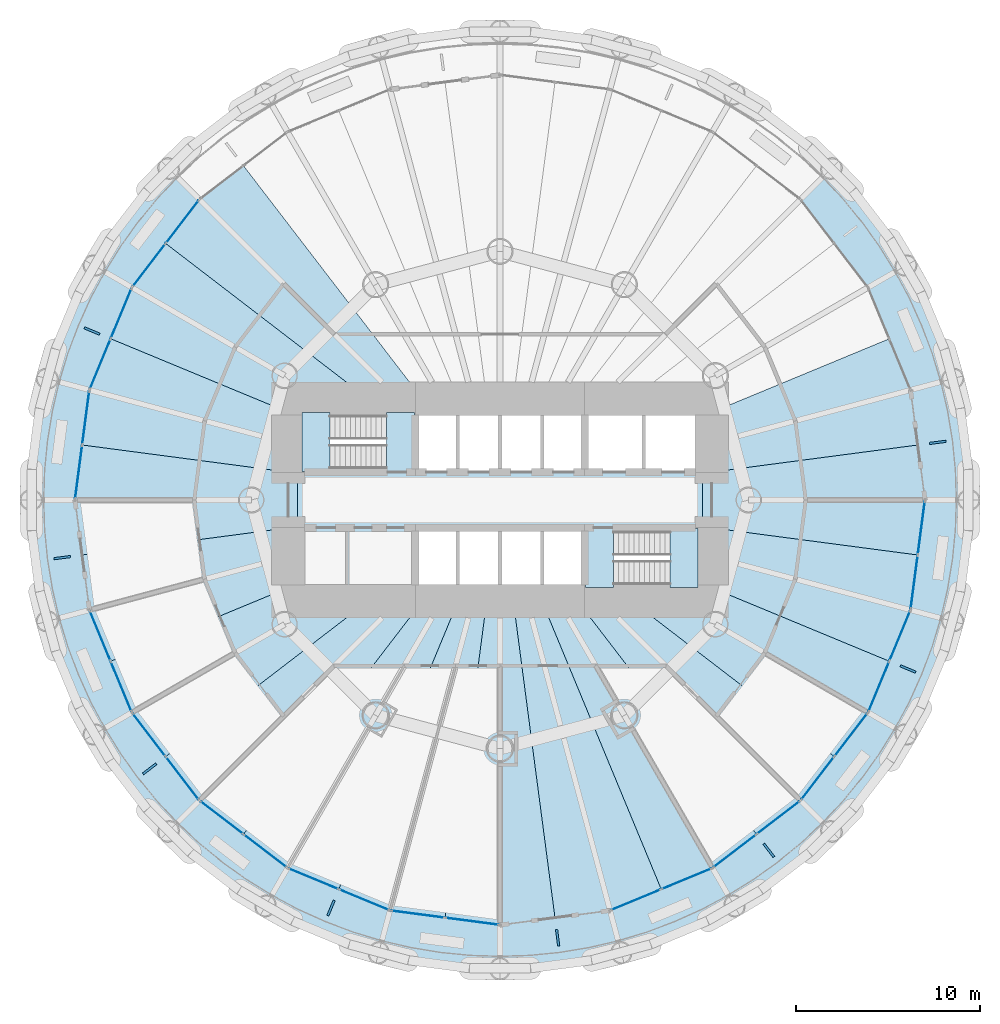
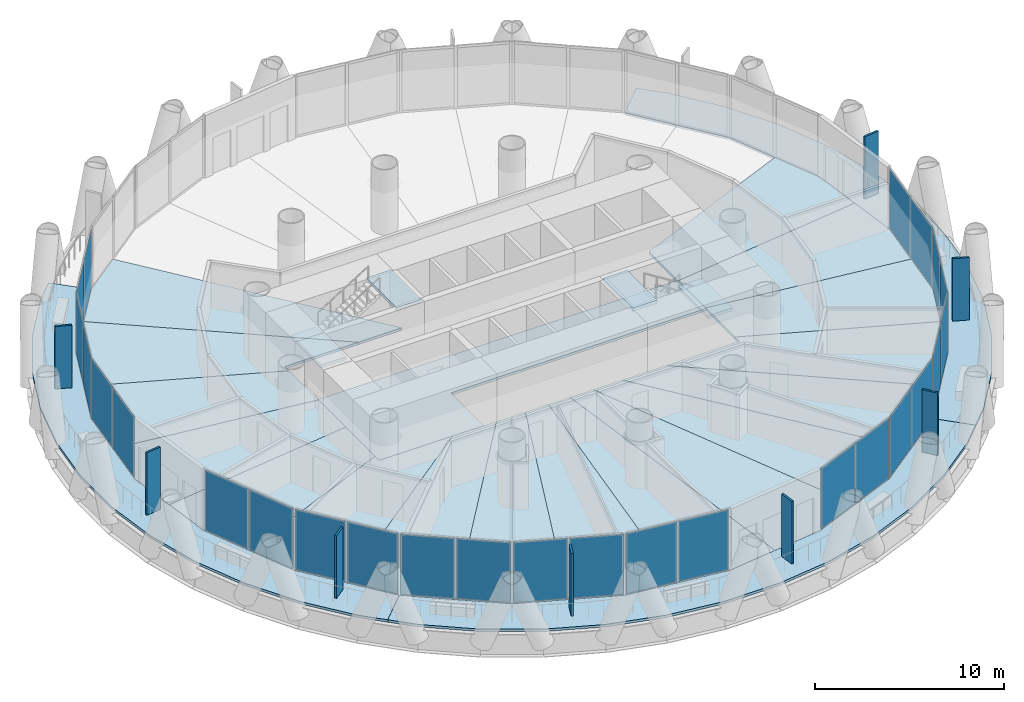
# One storey, part 8 of 16: 34 plates, 25 slabs, 15 elements without a shape of their own.
"""IFC4 building model written with IfcOpenShell, lengths in metres."""

from ifc_helpers import new_model, si_unit, direction, frame, origin, origin_2d, place, context, subcontext, project, spatial, polyline, rectangle, outline, extrude, material, layer, layer_set, type_object, element, aggregate, save


model = new_model("IFC4")

# Units and contexts
model_context = context("Model", 3, precision=1e-05, world=origin(), true_north=direction((0.0, 1.0)))
body_context = subcontext(model_context, "Body", "Model", "MODEL_VIEW")
ifc_project = project(units=[si_unit("LENGTHUNIT", "METRE"), si_unit("AREAUNIT", "SQUARE_METRE"), si_unit("VOLUMEUNIT", "CUBIC_METRE"), si_unit("PLANEANGLEUNIT", "RADIAN"), si_unit("MASSUNIT", "GRAM", prefix="KILO")], contexts=[model_context])

# Site, building, storey
site_placement = place(None, origin())
site = spatial("IfcSite", under=ifc_project, at=site_placement, CompositionType="ELEMENT")
building_placement = place(site_placement, origin())
building = spatial("IfcBuilding", under=site, at=building_placement, Name="Qaws Media Tower", CompositionType="ELEMENT")
storey_placement = place(building_placement, frame((0.0, 0.0, 89.0)))
storey = spatial("IfcBuildingStorey", under=building, at=storey_placement, Name="L19", CompositionType="ELEMENT", Elevation=89.0)

# Slabs
ifc_material_1 = material(Name="Concrete C35/45", Category="concrete")
ifc_layer_1 = layer(ifc_material_1, 0.159912109375)
ifc_layer_set_1 = layer_set([ifc_layer_1], Name="Composite balcony slab 160")
slab_type_1 = type_object("IfcSlabType", Name="Composite balcony slab 160", PredefinedType="FLOOR", material=ifc_layer_set_1)
slab_1_placement = place(storey_placement, frame((0.0, 0.0, -0.159912109375)))
element("IfcSlab", 1, at=slab_1_placement, inside=storey, type_object=slab_type_1, Name="S2 balcony slab L19 R10 to R16, movement joints on R10 and R16", PredefinedType="FLOOR", context=body_context, shape_type="SweptSolid", body=[
    extrude(outline(polyline([(40.846923828125, 33.203125), (38.818359375, 35.8466796875), (37.152099609375, 38.732666015625), (35.876953125, 41.811279296875), (35.014404296875, 45.030029296875), (34.57958984375, 48.333984375), (34.57958984375, 51.666015625), (35.014404296875, 54.969970703125), (35.876953125, 58.188720703125), (37.152099609375, 61.267333984375), (38.818359375, 64.1533203125), (40.846923828125, 66.796875), (42.02490234375, 67.97509765625), (43.68359375, 66.31640625), (40.0166015625, 61.53759765625), (37.711181640625, 55.97216796875), (36.925048828125, 50.0), (37.711181640625, 44.02783203125), (40.0166015625, 38.46240234375), (43.68359375, 33.68359375), (42.02490234375, 32.02490234375), (40.846923828125, 33.203125)])), origin(), (0.0, 0.0, 1.0), 0.159912109375),
])
slab_2_placement = place(storey_placement, frame((0.0, 0.0, -0.159912109375)))
element("IfcSlab", 2, at=slab_2_placement, inside=storey, type_object=slab_type_1, Name="S2 balcony slab L19 R16 to R22, movement joints on R16 and R22", PredefinedType="FLOOR", context=body_context, shape_type="SweptSolid", body=[
    extrude(outline(polyline([(76.796875, 30.846923828125), (74.1533203125, 28.818359375), (71.267333984375, 27.152099609375), (68.188720703125, 25.876953125), (64.969970703125, 25.014404296875), (61.666015625, 24.57958984375), (58.333984375, 24.57958984375), (55.030029296875, 25.014404296875), (51.811279296875, 25.876953125), (48.732666015625, 27.152099609375), (45.8466796875, 28.818359375), (43.203125, 30.846923828125), (42.02490234375, 32.02490234375), (43.68359375, 33.68359375), (48.46240234375, 30.0166015625), (54.02783203125, 27.711181640625), (60.0, 26.925048828125), (65.97216796875, 27.711181640625), (71.53759765625, 30.0166015625), (76.31640625, 33.68359375), (77.97509765625, 32.02490234375), (76.796875, 30.846923828125)])), origin(), (0.0, 0.0, 1.0), 0.159912109375),
])
slab_3_placement = place(storey_placement, frame((0.0, 0.0, -0.159912109375)))
element("IfcSlab", 3, at=slab_3_placement, inside=storey, type_object=slab_type_1, Name="S2 balcony slab L19 R22 to R04, movement joints on R22 and R04", PredefinedType="FLOOR", context=body_context, shape_type="SweptSolid", body=[
    extrude(outline(polyline([(84.985595703125, 45.030029296875), (84.123046875, 41.811279296875), (82.847900390625, 38.732666015625), (81.181640625, 35.8466796875), (79.153076171875, 33.203125), (77.97509765625, 32.02490234375), (76.31640625, 33.68359375), (79.9833984375, 38.46240234375), (82.288818359375, 44.02783203125), (83.074951171875, 50.0), (82.288818359375, 55.97216796875), (79.9833984375, 61.53759765625), (76.31640625, 66.31640625), (77.97509765625, 67.97509765625), (79.153076171875, 66.796875), (81.181640625, 64.1533203125), (82.847900390625, 61.267333984375), (84.123046875, 58.188720703125), (84.985595703125, 54.969970703125), (85.42041015625, 51.666015625), (85.42041015625, 48.333984375), (84.985595703125, 45.030029296875)])), origin(), (0.0, 0.0, 1.0), 0.159912109375),
])
ifc_material_2 = material(Name="Concrete C35/45", Category="concrete")
ifc_layer_2 = layer(ifc_material_2, 0.159912109375)
ifc_layer_set_2 = layer_set([ifc_layer_2], Name="Composite floor slab 160")
slab_type_2 = type_object("IfcSlabType", Name="Composite floor slab 160", PredefinedType="FLOOR", material=ifc_layer_set_2)
slab_4_placement = place(storey_placement, frame((0.0, 0.0, -0.159912109375)))
element("IfcSlab", 4, at=slab_4_placement, inside=storey, type_object=slab_type_2, Name="S1 core floor slab L19", PredefinedType="FLOOR", context=body_context, shape_type="SweptSolid", body=[
    extrude(outline(polyline([(71.0, 51.5), (71.0, 48.5), (55.39990234375, 48.5), (55.39990234375, 45.0), (49.0, 45.0), (49.0, 51.5), (71.0, 51.5)])), origin(), (0.0, 0.0, 1.0), 0.159912109375),
])
slab_5_placement = place(storey_placement, frame((0.0, 0.0, -0.159912109375)))
element("IfcSlab", 5, at=slab_5_placement, inside=storey, type_object=slab_type_2, Name="S1 floor panel L19 on R01", PredefinedType="FLOOR", context=body_context, shape_type="SweptSolid", body=[
    extrude(outline(polyline([(83.074951171875, 50.0), (82.681884765625, 47.013916015625), (71.0, 48.5517578125), (71.0, 51.4482421875), (82.681884765625, 52.986083984375), (83.074951171875, 50.0)])), origin(), (0.0, 0.0, 1.0), 0.159912109375),
])
slab_6_placement = place(storey_placement, frame((0.0, 0.0, -0.159912109375)))
element("IfcSlab", 6, at=slab_6_placement, inside=storey, type_object=slab_type_2, Name="S1 floor panel L19 on R02", PredefinedType="FLOOR", context=body_context, shape_type="SweptSolid", body=[
    extrude(outline(polyline([(82.288818359375, 55.97216796875), (82.681884765625, 52.986083984375), (71.0, 51.4482421875), (71.0, 54.556396484375), (81.135986328125, 58.7548828125), (82.288818359375, 55.97216796875)])), origin(), (0.0, 0.0, 1.0), 0.159912109375),
])
slab_7_placement = place(storey_placement, frame((0.0, 0.0, -0.159912109375)))
element("IfcSlab", 7, at=slab_7_placement, inside=storey, type_object=slab_type_2, Name="S1 floor panel L19 on R10", PredefinedType="FLOOR", context=body_context, shape_type="SweptSolid", body=[
    extrude(outline(polyline([(43.68359375, 66.31640625), (46.072998046875, 68.14990234375), (56.163330078125, 55.0), (53.48388671875, 55.0), (41.85009765625, 63.927001953125), (43.68359375, 66.31640625)])), origin(), (0.0, 0.0, 1.0), 0.159912109375),
])
slab_8_placement = place(storey_placement, frame((0.0, 0.0, -0.159912109375)))
element("IfcSlab", 8, at=slab_8_placement, inside=storey, type_object=slab_type_2, Name="S1 floor panel L19 on R11", PredefinedType="FLOOR", context=body_context, shape_type="SweptSolid", body=[
    extrude(outline(polyline([(40.0166015625, 61.53759765625), (41.85009765625, 63.927001953125), (53.48388671875, 55.0), (49.0, 55.0), (49.0, 54.556396484375), (38.864013671875, 58.7548828125), (40.0166015625, 61.53759765625)])), origin(), (0.0, 0.0, 1.0), 0.159912109375),
])
slab_9_placement = place(storey_placement, frame((0.0, 0.0, -0.159912109375)))
element("IfcSlab", 9, at=slab_9_placement, inside=storey, type_object=slab_type_2, Name="S1 floor panel L19 on R12", PredefinedType="FLOOR", context=body_context, shape_type="SweptSolid", body=[
    extrude(outline(polyline([(37.711181640625, 55.97216796875), (38.864013671875, 58.7548828125), (49.0, 54.556396484375), (49.0, 51.4482421875), (37.318115234375, 52.986083984375), (37.711181640625, 55.97216796875)])), origin(), (0.0, 0.0, 1.0), 0.159912109375),
])
slab_10_placement = place(storey_placement, frame((0.0, 0.0, -0.159912109375)))
element("IfcSlab", 10, at=slab_10_placement, inside=storey, type_object=slab_type_2, Name="S1 floor panel L19 on R13", PredefinedType="FLOOR", context=body_context, shape_type="SweptSolid", body=[
    extrude(outline(polyline([(36.925048828125, 50.0), (37.318115234375, 52.986083984375), (49.0, 51.4482421875), (49.0, 48.5517578125), (37.318115234375, 47.013916015625), (36.925048828125, 50.0)])), origin(), (0.0, 0.0, 1.0), 0.159912109375),
])
slab_11_placement = place(storey_placement, frame((0.0, 0.0, -0.159912109375)))
element("IfcSlab", 11, at=slab_11_placement, inside=storey, type_object=slab_type_2, Name="S1 floor panel L19 on R14", PredefinedType="FLOOR", context=body_context, shape_type="SweptSolid", body=[
    extrude(outline(polyline([(37.711181640625, 44.02783203125), (37.318115234375, 47.013916015625), (49.0, 48.5517578125), (49.0, 45.443603515625), (38.864013671875, 41.2451171875), (37.711181640625, 44.02783203125)])), origin(), (0.0, 0.0, 1.0), 0.159912109375),
])
slab_12_placement = place(storey_placement, frame((0.0, 0.0, -0.159912109375)))
element("IfcSlab", 12, at=slab_12_placement, inside=storey, type_object=slab_type_2, Name="S1 floor panel L19 on R15", PredefinedType="FLOOR", context=body_context, shape_type="SweptSolid", body=[
    extrude(outline(polyline([(40.0166015625, 38.46240234375), (38.864013671875, 41.2451171875), (49.0, 45.443603515625), (49.0, 45.0), (53.48388671875, 45.0), (41.85009765625, 36.072998046875), (40.0166015625, 38.46240234375)])), origin(), (0.0, 0.0, 1.0), 0.159912109375),
])
slab_13_placement = place(storey_placement, frame((0.0, 0.0, -0.159912109375)))
element("IfcSlab", 13, at=slab_13_placement, inside=storey, type_object=slab_type_2, Name="S1 floor panel L19 on R16", PredefinedType="FLOOR", context=body_context, shape_type="SweptSolid", body=[
    extrude(outline(polyline([(43.68359375, 33.68359375), (41.85009765625, 36.072998046875), (53.48388671875, 45.0), (56.163330078125, 45.0), (46.072998046875, 31.85009765625), (43.68359375, 33.68359375)])), origin(), (0.0, 0.0, 1.0), 0.159912109375),
])
slab_14_placement = place(storey_placement, frame((0.0, 0.0, -0.159912109375)))
element("IfcSlab", 14, at=slab_14_placement, inside=storey, type_object=slab_type_2, Name="S1 floor panel L19 on R17", PredefinedType="FLOOR", context=body_context, shape_type="SweptSolid", body=[
    extrude(outline(polyline([(48.46240234375, 30.0166015625), (46.072998046875, 31.85009765625), (56.163330078125, 45.0), (57.928955078125, 45.0), (51.2451171875, 28.864013671875), (48.46240234375, 30.0166015625)])), origin(), (0.0, 0.0, 1.0), 0.159912109375),
])
slab_15_placement = place(storey_placement, frame((0.0, 0.0, -0.159912109375)))
element("IfcSlab", 15, at=slab_15_placement, inside=storey, type_object=slab_type_2, Name="S1 floor panel L19 on R18", PredefinedType="FLOOR", context=body_context, shape_type="SweptSolid", body=[
    extrude(outline(polyline([(54.02783203125, 27.711181640625), (51.2451171875, 28.864013671875), (57.928955078125, 45.0), (59.341796875, 45.0), (57.013916015625, 27.318115234375), (54.02783203125, 27.711181640625)])), origin(), (0.0, 0.0, 1.0), 0.159912109375),
])
slab_16_placement = place(storey_placement, frame((0.0, 0.0, -0.159912109375)))
element("IfcSlab", 16, at=slab_16_placement, inside=storey, type_object=slab_type_2, Name="S1 floor panel L19 on R19", PredefinedType="FLOOR", context=body_context, shape_type="SweptSolid", body=[
    extrude(outline(polyline([(60.0, 26.925048828125), (57.013916015625, 27.318115234375), (59.341796875, 45.0), (60.658203125, 45.0), (62.986083984375, 27.318115234375), (60.0, 26.925048828125)])), origin(), (0.0, 0.0, 1.0), 0.159912109375),
])
slab_17_placement = place(storey_placement, frame((0.0, 0.0, -0.159912109375)))
element("IfcSlab", 17, at=slab_17_placement, inside=storey, type_object=slab_type_2, Name="S1 floor panel L19 on R20", PredefinedType="FLOOR", context=body_context, shape_type="SweptSolid", body=[
    extrude(outline(polyline([(65.97216796875, 27.711181640625), (62.986083984375, 27.318115234375), (60.658203125, 45.0), (62.071044921875, 45.0), (68.7548828125, 28.864013671875), (65.97216796875, 27.711181640625)])), origin(), (0.0, 0.0, 1.0), 0.159912109375),
])
slab_18_placement = place(storey_placement, frame((0.0, 0.0, -0.159912109375)))
element("IfcSlab", 18, at=slab_18_placement, inside=storey, type_object=slab_type_2, Name="S1 floor panel L19 on R21", PredefinedType="FLOOR", context=body_context, shape_type="SweptSolid", body=[
    extrude(outline(polyline([(71.53759765625, 30.0166015625), (68.7548828125, 28.864013671875), (62.071044921875, 45.0), (63.836669921875, 45.0), (73.927001953125, 31.85009765625), (71.53759765625, 30.0166015625)])), origin(), (0.0, 0.0, 1.0), 0.159912109375),
])
slab_19_placement = place(storey_placement, frame((0.0, 0.0, -0.159912109375)))
element("IfcSlab", 19, at=slab_19_placement, inside=storey, type_object=slab_type_2, Name="S1 floor panel L19 on R22", PredefinedType="FLOOR", context=body_context, shape_type="SweptSolid", body=[
    extrude(outline(polyline([(76.31640625, 33.68359375), (73.927001953125, 31.85009765625), (63.836669921875, 45.0), (66.51611328125, 45.0), (78.14990234375, 36.072998046875), (76.31640625, 33.68359375)])), origin(), (0.0, 0.0, 1.0), 0.159912109375),
])
slab_20_placement = place(storey_placement, frame((0.0, 0.0, -0.159912109375)))
element("IfcSlab", 20, at=slab_20_placement, inside=storey, type_object=slab_type_2, Name="S1 floor panel L19 on R23", PredefinedType="FLOOR", context=body_context, shape_type="SweptSolid", body=[
    extrude(outline(polyline([(79.9833984375, 38.46240234375), (78.14990234375, 36.072998046875), (66.51611328125, 45.0), (71.0, 45.0), (71.0, 45.443603515625), (81.135986328125, 41.2451171875), (79.9833984375, 38.46240234375)])), origin(), (0.0, 0.0, 1.0), 0.159912109375),
])
slab_21_placement = place(storey_placement, frame((0.0, 0.0, -0.159912109375)))
element("IfcSlab", 21, at=slab_21_placement, inside=storey, type_object=slab_type_2, Name="S1 floor panel L19 on R24", PredefinedType="FLOOR", context=body_context, shape_type="SweptSolid", body=[
    extrude(outline(polyline([(81.135986328125, 41.2451171875), (71.0, 45.443603515625), (71.0, 48.5517578125), (82.681884765625, 47.013916015625), (82.288818359375, 44.02783203125), (81.135986328125, 41.2451171875)])), origin(), (0.0, 0.0, 1.0), 0.159912109375),
])

# Curtain wall, plates
ifc_material_3 = material(Name="Aluminium and clear glass", Category="aluminium")
curtain_wall_type = type_object("IfcCurtainWallType", Name="Unitised curtain wall CW-A", PredefinedType="NOTDEFINED", material=ifc_material_3)
curtain_wall_1_placement = place(storey_placement, origin())
curtain_wall_1 = element("IfcCurtainWall", 22, at=curtain_wall_1_placement, inside=storey, type_object=curtain_wall_type, Name="CWA curtain wall L19-10", PredefinedType="NOTDEFINED")
ifc_material_4 = material(Name="Clear laminated double glazing", Category="glass")
ifc_layer_3 = layer(ifc_material_4, 0.031982421875)
ifc_layer_set_3 = layer_set([ifc_layer_3], Name="Curtain wall glass unit 32")
plate_type_1 = type_object("IfcPlateType", Name="Curtain wall glass unit 32", PredefinedType="CURTAIN_PANEL", material=ifc_layer_set_3)
plate_1_placement = place(storey_placement, frame((42.754638671875, 65.10595703125, 0.080078125), z_axis=(0.0, 0.0, 1.0), x_axis=(-0.608761404459, -0.793353359129, 0.0)))
plate_1 = element("IfcPlate", 23, at=plate_1_placement, type_object=plate_type_1, Name="CWA panel 1.1", PredefinedType="CURTAIN_PANEL", context=body_context, shape_type="SweptSolid", body=[
    extrude(rectangle(XDim=2.891845703125, YDim=0.031982421875, at=origin_2d()), origin(), (0.0, 0.0, 1.0), 3.8798828125),
])
plate_2_placement = place(storey_placement, frame((40.9453125, 62.748046875, 0.080078125), z_axis=(0.0, 0.0, 1.0), x_axis=(-0.608761404459, -0.793353359129, 0.0)))
plate_2 = element("IfcPlate", 24, at=plate_2_placement, type_object=plate_type_1, Name="CWA panel 2.1", PredefinedType="CURTAIN_PANEL", context=body_context, shape_type="SweptSolid", body=[
    extrude(rectangle(XDim=2.891845703125, YDim=0.031982421875, at=origin_2d()), origin(), (0.0, 0.0, 1.0), 3.8798828125),
])
aggregate(curtain_wall_1, [plate_1, plate_2])

curtain_wall_2_placement = place(storey_placement, origin())
curtain_wall_2 = element("IfcCurtainWall", 25, at=curtain_wall_2_placement, inside=storey, type_object=curtain_wall_type, Name="CWA curtain wall L19-11", PredefinedType="NOTDEFINED")
plate_3_placement = place(storey_placement, frame((39.4326171875, 60.127685546875, 0.080078125), z_axis=(0.0, 0.0, 1.0), x_axis=(-0.382683369704, -0.923879558466, 0.0)))
plate_3 = element("IfcPlate", 26, at=plate_3_placement, type_object=plate_type_1, Name="CWA panel 1.1", PredefinedType="CURTAIN_PANEL", context=body_context, shape_type="SweptSolid", body=[
    extrude(rectangle(XDim=2.891845703125, YDim=0.031982421875, at=origin_2d()), origin(), (0.0, 0.0, 1.0), 3.8798828125),
])
plate_4_placement = place(storey_placement, frame((38.295166015625, 57.382080078125, 0.080078125), z_axis=(0.0, 0.0, 1.0), x_axis=(-0.382683369704, -0.923879558466, 0.0)))
plate_4 = element("IfcPlate", 27, at=plate_4_placement, type_object=plate_type_1, Name="CWA panel 2.1", PredefinedType="CURTAIN_PANEL", context=body_context, shape_type="SweptSolid", body=[
    extrude(rectangle(XDim=2.891845703125, YDim=0.031982421875, at=origin_2d()), origin(), (0.0, 0.0, 1.0), 3.8798828125),
])
aggregate(curtain_wall_2, [plate_3, plate_4])

curtain_wall_3_placement = place(storey_placement, origin())
curtain_wall_3 = element("IfcCurtainWall", 28, at=curtain_wall_3_placement, inside=storey, type_object=curtain_wall_type, Name="CWA curtain wall L19-12", PredefinedType="NOTDEFINED")
plate_5_placement = place(storey_placement, frame((37.51220703125, 54.45947265625, 0.080078125), z_axis=(0.0, 0.0, 1.0), x_axis=(-0.130526274293, -0.991444850569, 0.0)))
plate_5 = element("IfcPlate", 29, at=plate_5_placement, type_object=plate_type_1, Name="CWA panel 1.1", PredefinedType="CURTAIN_PANEL", context=body_context, shape_type="SweptSolid", body=[
    extrude(rectangle(XDim=2.891845703125, YDim=0.031982421875, at=origin_2d()), origin(), (0.0, 0.0, 1.0), 3.8798828125),
])
plate_6_placement = place(storey_placement, frame((37.124267578125, 51.512939453125, 0.080078125), z_axis=(0.0, 0.0, 1.0), x_axis=(-0.130526274293, -0.991444850569, 0.0)))
plate_6 = element("IfcPlate", 30, at=plate_6_placement, type_object=plate_type_1, Name="CWA panel 2.1", PredefinedType="CURTAIN_PANEL", context=body_context, shape_type="SweptSolid", body=[
    extrude(rectangle(XDim=2.891845703125, YDim=0.031982421875, at=origin_2d()), origin(), (0.0, 0.0, 1.0), 3.8798828125),
])
aggregate(curtain_wall_3, [plate_5, plate_6])

curtain_wall_4_placement = place(storey_placement, origin())
curtain_wall_4 = element("IfcCurtainWall", 31, at=curtain_wall_4_placement, inside=storey, type_object=curtain_wall_type, Name="CWA curtain wall L19-14", PredefinedType="NOTDEFINED")
plate_7_placement = place(storey_placement, frame((38.295166015625, 42.617919921875, 0.080078125), z_axis=(0.0, 0.0, 1.0), x_axis=(0.382683369704, -0.923879558466, 0.0)))
plate_7 = element("IfcPlate", 32, at=plate_7_placement, type_object=plate_type_1, Name="CWA panel 1.1", PredefinedType="CURTAIN_PANEL", context=body_context, shape_type="SweptSolid", body=[
    extrude(rectangle(XDim=2.891845703125, YDim=0.031982421875, at=origin_2d()), origin(), (0.0, 0.0, 1.0), 3.8798828125),
])
plate_8_placement = place(storey_placement, frame((39.4326171875, 39.872314453125, 0.080078125), z_axis=(0.0, 0.0, 1.0), x_axis=(0.382683369704, -0.923879558466, 0.0)))
plate_8 = element("IfcPlate", 33, at=plate_8_placement, type_object=plate_type_1, Name="CWA panel 2.1", PredefinedType="CURTAIN_PANEL", context=body_context, shape_type="SweptSolid", body=[
    extrude(rectangle(XDim=2.891845703125, YDim=0.031982421875, at=origin_2d()), origin(), (0.0, 0.0, 1.0), 3.8798828125),
])
aggregate(curtain_wall_4, [plate_7, plate_8])

curtain_wall_5_placement = place(storey_placement, origin())
curtain_wall_5 = element("IfcCurtainWall", 34, at=curtain_wall_5_placement, inside=storey, type_object=curtain_wall_type, Name="CWA curtain wall L19-15", PredefinedType="NOTDEFINED")
plate_9_placement = place(storey_placement, frame((40.9453125, 37.251953125, 0.080078125), z_axis=(0.0, 0.0, 1.0), x_axis=(0.608761404459, -0.793353359129, 0.0)))
plate_9 = element("IfcPlate", 35, at=plate_9_placement, type_object=plate_type_1, Name="CWA panel 1.1", PredefinedType="CURTAIN_PANEL", context=body_context, shape_type="SweptSolid", body=[
    extrude(rectangle(XDim=2.891845703125, YDim=0.031982421875, at=origin_2d()), origin(), (0.0, 0.0, 1.0), 3.8798828125),
])
plate_10_placement = place(storey_placement, frame((42.754638671875, 34.89404296875, 0.080078125), z_axis=(0.0, 0.0, 1.0), x_axis=(0.608761404459, -0.793353359129, 0.0)))
plate_10 = element("IfcPlate", 36, at=plate_10_placement, type_object=plate_type_1, Name="CWA panel 2.1", PredefinedType="CURTAIN_PANEL", context=body_context, shape_type="SweptSolid", body=[
    extrude(rectangle(XDim=2.891845703125, YDim=0.031982421875, at=origin_2d()), origin(), (0.0, 0.0, 1.0), 3.8798828125),
])
aggregate(curtain_wall_5, [plate_9, plate_10])

curtain_wall_6_placement = place(storey_placement, origin())
curtain_wall_6 = element("IfcCurtainWall", 37, at=curtain_wall_6_placement, inside=storey, type_object=curtain_wall_type, Name="CWA curtain wall L19-16", PredefinedType="NOTDEFINED")
plate_11_placement = place(storey_placement, frame((44.89404296875, 32.754638671875, 0.080078125), z_axis=(0.0, 0.0, 1.0), x_axis=(0.793353359129, -0.608761404459, 0.0)))
plate_11 = element("IfcPlate", 38, at=plate_11_placement, type_object=plate_type_1, Name="CWA panel 1.1", PredefinedType="CURTAIN_PANEL", context=body_context, shape_type="SweptSolid", body=[
    extrude(rectangle(XDim=2.891845703125, YDim=0.031982421875, at=origin_2d()), origin(), (0.0, 0.0, 1.0), 3.8798828125),
])
plate_12_placement = place(storey_placement, frame((47.251953125, 30.9453125, 0.080078125), z_axis=(0.0, 0.0, 1.0), x_axis=(0.793353359129, -0.608761404459, 0.0)))
plate_12 = element("IfcPlate", 39, at=plate_12_placement, type_object=plate_type_1, Name="CWA panel 2.1", PredefinedType="CURTAIN_PANEL", context=body_context, shape_type="SweptSolid", body=[
    extrude(rectangle(XDim=2.891845703125, YDim=0.031982421875, at=origin_2d()), origin(), (0.0, 0.0, 1.0), 3.8798828125),
])
aggregate(curtain_wall_6, [plate_11, plate_12])

curtain_wall_7_placement = place(storey_placement, origin())
curtain_wall_7 = element("IfcCurtainWall", 40, at=curtain_wall_7_placement, inside=storey, type_object=curtain_wall_type, Name="CWA curtain wall L19-17", PredefinedType="NOTDEFINED")
plate_13_placement = place(storey_placement, frame((49.872314453125, 29.4326171875, 0.080078125), z_axis=(0.0, 0.0, 1.0), x_axis=(0.923879558466, -0.382683369704, 0.0)))
plate_13 = element("IfcPlate", 41, at=plate_13_placement, type_object=plate_type_1, Name="CWA panel 1.1", PredefinedType="CURTAIN_PANEL", context=body_context, shape_type="SweptSolid", body=[
    extrude(rectangle(XDim=2.891845703125, YDim=0.031982421875, at=origin_2d()), origin(), (0.0, 0.0, 1.0), 3.8798828125),
])
plate_14_placement = place(storey_placement, frame((52.617919921875, 28.295166015625, 0.080078125), z_axis=(0.0, 0.0, 1.0), x_axis=(0.923879558466, -0.382683369704, 0.0)))
plate_14 = element("IfcPlate", 42, at=plate_14_placement, type_object=plate_type_1, Name="CWA panel 2.1", PredefinedType="CURTAIN_PANEL", context=body_context, shape_type="SweptSolid", body=[
    extrude(rectangle(XDim=2.891845703125, YDim=0.031982421875, at=origin_2d()), origin(), (0.0, 0.0, 1.0), 3.8798828125),
])
aggregate(curtain_wall_7, [plate_13, plate_14])

curtain_wall_8_placement = place(storey_placement, origin())
curtain_wall_8 = element("IfcCurtainWall", 43, at=curtain_wall_8_placement, inside=storey, type_object=curtain_wall_type, Name="CWA curtain wall L19-18", PredefinedType="NOTDEFINED")
plate_15_placement = place(storey_placement, frame((55.54052734375, 27.51220703125, 0.080078125), z_axis=(0.0, 0.0, 1.0), x_axis=(0.991444850569, -0.130526274293, 0.0)))
plate_15 = element("IfcPlate", 44, at=plate_15_placement, type_object=plate_type_1, Name="CWA panel 1.1", PredefinedType="CURTAIN_PANEL", context=body_context, shape_type="SweptSolid", body=[
    extrude(rectangle(XDim=2.891845703125, YDim=0.031982421875, at=origin_2d()), origin(), (0.0, 0.0, 1.0), 3.8798828125),
])
plate_16_placement = place(storey_placement, frame((58.487060546875, 27.124267578125, 0.080078125), z_axis=(0.0, 0.0, 1.0), x_axis=(0.991444850569, -0.130526274293, 0.0)))
plate_16 = element("IfcPlate", 45, at=plate_16_placement, type_object=plate_type_1, Name="CWA panel 2.1", PredefinedType="CURTAIN_PANEL", context=body_context, shape_type="SweptSolid", body=[
    extrude(rectangle(XDim=2.891845703125, YDim=0.031982421875, at=origin_2d()), origin(), (0.0, 0.0, 1.0), 3.8798828125),
])
aggregate(curtain_wall_8, [plate_15, plate_16])

curtain_wall_9_placement = place(storey_placement, origin())
curtain_wall_9 = element("IfcCurtainWall", 46, at=curtain_wall_9_placement, inside=storey, type_object=curtain_wall_type, Name="CWA curtain wall L19-20", PredefinedType="NOTDEFINED")
plate_17_placement = place(storey_placement, frame((67.382080078125, 28.295166015625, 0.080078125), z_axis=(0.0, 0.0, 1.0), x_axis=(0.923879558466, 0.382683369704, 0.0)))
plate_17 = element("IfcPlate", 47, at=plate_17_placement, type_object=plate_type_1, Name="CWA panel 1.1", PredefinedType="CURTAIN_PANEL", context=body_context, shape_type="SweptSolid", body=[
    extrude(rectangle(XDim=2.891845703125, YDim=0.031982421875, at=origin_2d()), origin(), (0.0, 0.0, 1.0), 3.8798828125),
])
plate_18_placement = place(storey_placement, frame((70.127685546875, 29.4326171875, 0.080078125), z_axis=(0.0, 0.0, 1.0), x_axis=(0.923879558466, 0.382683369704, 0.0)))
plate_18 = element("IfcPlate", 48, at=plate_18_placement, type_object=plate_type_1, Name="CWA panel 2.1", PredefinedType="CURTAIN_PANEL", context=body_context, shape_type="SweptSolid", body=[
    extrude(rectangle(XDim=2.891845703125, YDim=0.031982421875, at=origin_2d()), origin(), (0.0, 0.0, 1.0), 3.8798828125),
])
aggregate(curtain_wall_9, [plate_17, plate_18])

curtain_wall_10_placement = place(storey_placement, origin())
curtain_wall_10 = element("IfcCurtainWall", 49, at=curtain_wall_10_placement, inside=storey, type_object=curtain_wall_type, Name="CWA curtain wall L19-21", PredefinedType="NOTDEFINED")
plate_19_placement = place(storey_placement, frame((72.748046875, 30.9453125, 0.080078125), z_axis=(0.0, 0.0, 1.0), x_axis=(0.793353359129, 0.608761404459, 0.0)))
plate_19 = element("IfcPlate", 50, at=plate_19_placement, type_object=plate_type_1, Name="CWA panel 1.1", PredefinedType="CURTAIN_PANEL", context=body_context, shape_type="SweptSolid", body=[
    extrude(rectangle(XDim=2.891845703125, YDim=0.031982421875, at=origin_2d()), origin(), (0.0, 0.0, 1.0), 3.8798828125),
])
plate_20_placement = place(storey_placement, frame((75.10595703125, 32.754638671875, 0.080078125), z_axis=(0.0, 0.0, 1.0), x_axis=(0.793353359129, 0.608761404459, 0.0)))
plate_20 = element("IfcPlate", 51, at=plate_20_placement, type_object=plate_type_1, Name="CWA panel 2.1", PredefinedType="CURTAIN_PANEL", context=body_context, shape_type="SweptSolid", body=[
    extrude(rectangle(XDim=2.891845703125, YDim=0.031982421875, at=origin_2d()), origin(), (0.0, 0.0, 1.0), 3.8798828125),
])
aggregate(curtain_wall_10, [plate_19, plate_20])

curtain_wall_11_placement = place(storey_placement, origin())
curtain_wall_11 = element("IfcCurtainWall", 52, at=curtain_wall_11_placement, inside=storey, type_object=curtain_wall_type, Name="CWA curtain wall L19-22", PredefinedType="NOTDEFINED")
plate_21_placement = place(storey_placement, frame((77.245361328125, 34.89404296875, 0.080078125), z_axis=(0.0, 0.0, 1.0), x_axis=(0.608761404459, 0.793353359129, 0.0)))
plate_21 = element("IfcPlate", 53, at=plate_21_placement, type_object=plate_type_1, Name="CWA panel 1.1", PredefinedType="CURTAIN_PANEL", context=body_context, shape_type="SweptSolid", body=[
    extrude(rectangle(XDim=2.891845703125, YDim=0.031982421875, at=origin_2d()), origin(), (0.0, 0.0, 1.0), 3.8798828125),
])
plate_22_placement = place(storey_placement, frame((79.0546875, 37.251953125, 0.080078125), z_axis=(0.0, 0.0, 1.0), x_axis=(0.608761404459, 0.793353359129, 0.0)))
plate_22 = element("IfcPlate", 54, at=plate_22_placement, type_object=plate_type_1, Name="CWA panel 2.1", PredefinedType="CURTAIN_PANEL", context=body_context, shape_type="SweptSolid", body=[
    extrude(rectangle(XDim=2.891845703125, YDim=0.031982421875, at=origin_2d()), origin(), (0.0, 0.0, 1.0), 3.8798828125),
])
aggregate(curtain_wall_11, [plate_21, plate_22])

curtain_wall_12_placement = place(storey_placement, origin())
curtain_wall_12 = element("IfcCurtainWall", 55, at=curtain_wall_12_placement, inside=storey, type_object=curtain_wall_type, Name="CWA curtain wall L19-23", PredefinedType="NOTDEFINED")
plate_23_placement = place(storey_placement, frame((80.5673828125, 39.872314453125, 0.080078125), z_axis=(0.0, 0.0, 1.0), x_axis=(0.382683369704, 0.923879558466, 0.0)))
plate_23 = element("IfcPlate", 56, at=plate_23_placement, type_object=plate_type_1, Name="CWA panel 1.1", PredefinedType="CURTAIN_PANEL", context=body_context, shape_type="SweptSolid", body=[
    extrude(rectangle(XDim=2.891845703125, YDim=0.031982421875, at=origin_2d()), origin(), (0.0, 0.0, 1.0), 3.8798828125),
])
plate_24_placement = place(storey_placement, frame((81.704833984375, 42.617919921875, 0.080078125), z_axis=(0.0, 0.0, 1.0), x_axis=(0.382683369704, 0.923879558466, 0.0)))
plate_24 = element("IfcPlate", 57, at=plate_24_placement, type_object=plate_type_1, Name="CWA panel 2.1", PredefinedType="CURTAIN_PANEL", context=body_context, shape_type="SweptSolid", body=[
    extrude(rectangle(XDim=2.891845703125, YDim=0.031982421875, at=origin_2d()), origin(), (0.0, 0.0, 1.0), 3.8798828125),
])
aggregate(curtain_wall_12, [plate_23, plate_24])

curtain_wall_13_placement = place(storey_placement, origin())
curtain_wall_13 = element("IfcCurtainWall", 58, at=curtain_wall_13_placement, inside=storey, type_object=curtain_wall_type, Name="CWA curtain wall L19-24", PredefinedType="NOTDEFINED")
plate_25_placement = place(storey_placement, frame((82.48779296875, 45.54052734375, 0.080078125), z_axis=(0.0, 0.0, 1.0), x_axis=(0.130526274293, 0.991444850569, 0.0)))
plate_25 = element("IfcPlate", 59, at=plate_25_placement, type_object=plate_type_1, Name="CWA panel 1.1", PredefinedType="CURTAIN_PANEL", context=body_context, shape_type="SweptSolid", body=[
    extrude(rectangle(XDim=2.891845703125, YDim=0.031982421875, at=origin_2d()), origin(), (0.0, 0.0, 1.0), 3.8798828125),
])
plate_26_placement = place(storey_placement, frame((82.875732421875, 48.487060546875, 0.080078125), z_axis=(0.0, 0.0, 1.0), x_axis=(0.130526274293, 0.991444850569, 0.0)))
plate_26 = element("IfcPlate", 60, at=plate_26_placement, type_object=plate_type_1, Name="CWA panel 2.1", PredefinedType="CURTAIN_PANEL", context=body_context, shape_type="SweptSolid", body=[
    extrude(rectangle(XDim=2.891845703125, YDim=0.031982421875, at=origin_2d()), origin(), (0.0, 0.0, 1.0), 3.8798828125),
])
aggregate(curtain_wall_13, [plate_25, plate_26])

# Plates
ifc_material_5 = material(Name="Precast concrete screen fin", Category="concrete")
ifc_layer_4 = layer(ifc_material_5, 0.1201171875)
ifc_layer_set_4 = layer_set([ifc_layer_4], Name="Screen fin 120x900")
plate_type_2 = type_object("IfcPlateType", Name="Screen fin 120x900", PredefinedType="USERDEFINED", material=ifc_layer_set_4)
for number, where, z_axis, x_axis, name in (
    (61, (83.769775390625, 53.12939453125, 0.0), (0.0, 0.0, 1.0), (0.991444861374, 0.13052619222, 0.0), "SCR1 screen fin L19-01"),
    (62, (37.85009765625, 59.1748046875, 0.0), (0.0, 0.0, 1.0), (-0.923879532511, 0.382683432365, 0.0), "SCR1 screen fin L19-06"),
    (63, (36.230224609375, 46.87060546875, 0.0), (0.0, 0.0, 1.0), (-0.991444861374, -0.13052619222, 0.0), "SCR1 screen fin L19-07"),
    (64, (40.979248046875, 35.405029296875, 0.0), (0.0, 0.0, 1.0), (-0.793353340291, -0.608761429009, 0.0), "SCR1 screen fin L19-08"),
    (65, (50.8251953125, 27.85009765625, 0.0), (0.0, 0.0, 1.0), (-0.382683432365, -0.923879532511, 0.0), "SCR1 screen fin L19-09"),
    (66, (63.12939453125, 26.230224609375, 0.0), (0.0, 0.0, 1.0), (0.13052619222, -0.991444861374, 0.0), "SCR1 screen fin L19-10"),
    (67, (74.594970703125, 30.979248046875, 0.0), (0.0, 0.0, 1.0), (0.608761429009, -0.793353340291, 0.0), "SCR1 screen fin L19-11"),
    (68, (82.14990234375, 40.8251953125, 0.0), (0.0, 0.0, 1.0), (0.923879532511, -0.382683432365, 0.0), "SCR1 screen fin L19-12"),
):
    element("IfcPlate", number, at=place(storey_placement, frame(where, z_axis=z_axis, x_axis=x_axis)), inside=storey, type_object=plate_type_2, Name=name, ObjectType="SCREEN", PredefinedType="USERDEFINED", context=body_context, shape_type="SweptSolid", body=[
        extrude(rectangle(XDim=0.89990234375, YDim=0.1201171875, at=origin_2d()), origin(), (0.0, 0.0, 1.0), 4.0400390625),
    ])

# Stair, slabs
ifc_material_6 = material(Name="Concrete C40/50", Category="concrete")
stair_type = type_object("IfcStairType", Name="Exit stair", PredefinedType="HALF_TURN_STAIR", material=ifc_material_6)
stair_1_placement = place(storey_placement, origin())
stair_1 = element("IfcStair", 69, at=stair_1_placement, inside=storey, type_object=stair_type, Name="S1 exit stair L19", PredefinedType="HALF_TURN_STAIR")
ifc_material_7 = material(Name="Concrete C40/50", Category="concrete")
ifc_layer_5 = layer(ifc_material_7, 0.199951171875)
ifc_layer_set_5 = layer_set([ifc_layer_5], Name="Stair landing 200")
slab_type_3 = type_object("IfcSlabType", Name="Stair landing 200", PredefinedType="LANDING", material=ifc_layer_set_5)
slab_22_placement = place(storey_placement, frame((0.0, 0.0, 1.89990234375)))
slab_22 = element("IfcSlab", 70, at=slab_22_placement, type_object=slab_type_3, Name="S1 landing 1", PredefinedType="LANDING", context=body_context, shape_type="SweptSolid", body=[
    extrude(outline(polyline([(49.25, 51.550048828125), (50.760009765625, 51.550048828125), (50.760009765625, 54.75), (49.25, 54.75), (49.25, 51.550048828125)])), origin(), (0.0, 0.0, 1.0), 0.2001953125),
])
slab_23_placement = place(storey_placement, frame((0.0, 0.0, 4.0)))
slab_23 = element("IfcSlab", 71, at=slab_23_placement, type_object=slab_type_3, Name="S1 landing 2", PredefinedType="LANDING", context=body_context, shape_type="SweptSolid", body=[
    extrude(outline(polyline([(53.840087890625, 51.550048828125), (55.35009765625, 51.550048828125), (55.35009765625, 54.75), (53.840087890625, 54.75), (53.840087890625, 51.550048828125)])), origin(), (0.0, 0.0, 1.0), 0.199951171875),
])
aggregate(stair_1, [slab_22, slab_23])

stair_2_placement = place(storey_placement, origin())
stair_2 = element("IfcStair", 72, at=stair_2_placement, inside=storey, type_object=stair_type, Name="S2 exit stair L19", PredefinedType="HALF_TURN_STAIR")
slab_24_placement = place(storey_placement, frame((0.0, 0.0, 1.89990234375)))
slab_24 = element("IfcSlab", 73, at=slab_24_placement, type_object=slab_type_3, Name="S2 landing 1", PredefinedType="LANDING", context=body_context, shape_type="SweptSolid", body=[
    extrude(outline(polyline([(69.239990234375, 45.25), (70.75, 45.25), (70.75, 48.449951171875), (69.239990234375, 48.449951171875), (69.239990234375, 45.25)])), origin(), (0.0, 0.0, 1.0), 0.2001953125),
])
slab_25_placement = place(storey_placement, frame((0.0, 0.0, 4.0)))
slab_25 = element("IfcSlab", 74, at=slab_25_placement, type_object=slab_type_3, Name="S2 landing 2", PredefinedType="LANDING", context=body_context, shape_type="SweptSolid", body=[
    extrude(outline(polyline([(64.64990234375, 45.25), (66.159912109375, 45.25), (66.159912109375, 48.449951171875), (64.64990234375, 48.449951171875), (64.64990234375, 45.25)])), origin(), (0.0, 0.0, 1.0), 0.199951171875),
])
aggregate(stair_2, [slab_24, slab_25])

save(model, "model.ifc")
